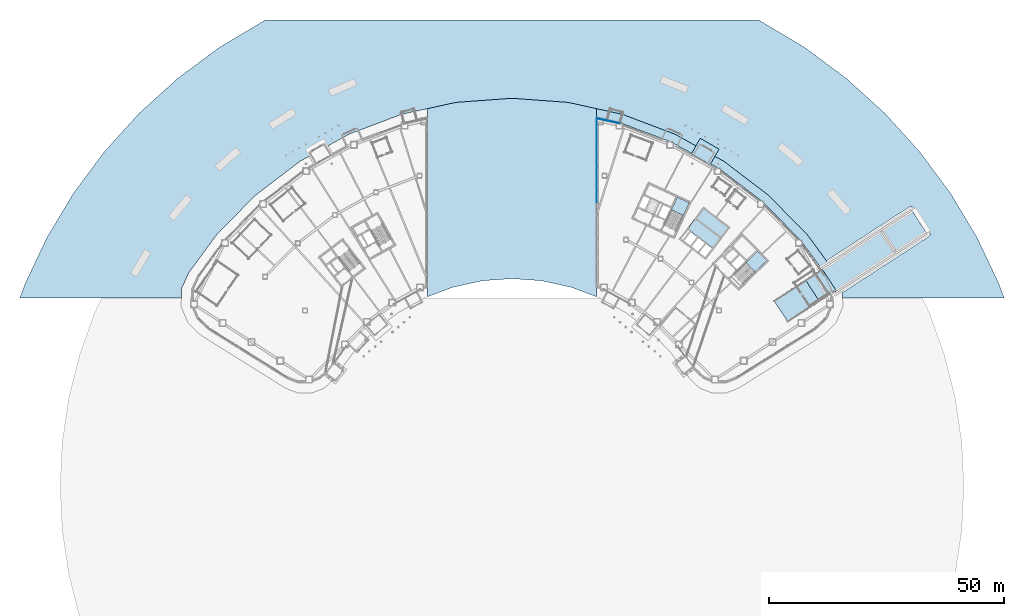
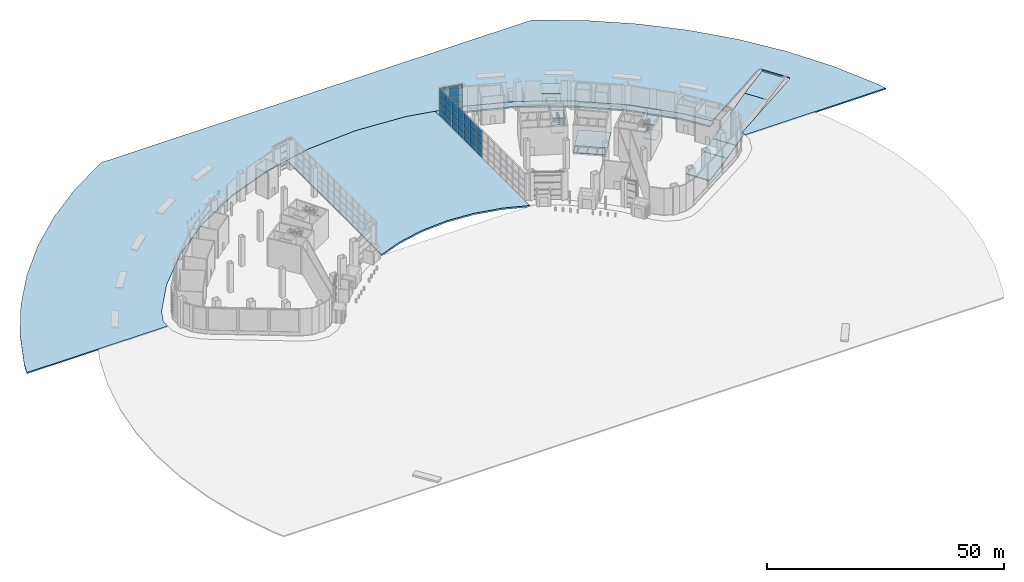
# One storey, part 29 of 45: 33 plates, 13 slabs, 7 elements without a shape of their own.
"""IFC4 building model written with IfcOpenShell, lengths in metres."""

import ifcopenshell
import ifcopenshell.guid

model = None  # the IFC model being written
_history = None  # IfcOwnerHistory: only IFC2X3 demands one
_inside = {}  # id of a spatial element -> (the spatial element, [elements in it])
_under = {}  # id of a project, library or spatial element -> (it, [spatial elements below it])
_declared = {}  # id of a project -> (the project, [libraries it declares])
_typed = {}  # id of a type object -> (the type object, [elements of that type])
_made_of = {}  # id of a material, layer set ... -> (it, [elements and type objects made of it])


def new_model(schema):
    """Start an empty IFC model of exactly this schema.

    Asked for "IFC4X3", IfcOpenShell would pick the latest addendum, in which some entities
    have other attributes; the version numbers below select the first issue.
    IFC2X3 requires an IfcOwnerHistory on every rooted entity: one is made here for all.
    """
    global model, _history
    if schema == "IFC4X3":
        model = ifcopenshell.file(schema_version=(4, 3, 0, 0))
    else:
        model = ifcopenshell.file(schema=schema)
    _inside.clear()
    _under.clear()
    _declared.clear()
    _typed.clear()
    _made_of.clear()
    _history = None
    if model.schema == "IFC2X3":
        org = make("IfcOrganization", Name="unknown")
        user = make(
            "IfcPersonAndOrganization",
            ThePerson=make("IfcPerson", FamilyName="unknown"),
            TheOrganization=org,
        )
        app = make(
            "IfcApplication",
            ApplicationDeveloper=org,
            Version="unknown",
            ApplicationFullName="unknown",
            ApplicationIdentifier="unknown",
        )
        _history = make(
            "IfcOwnerHistory",
            OwningUser=user,
            OwningApplication=app,
            ChangeAction="ADDED",
            CreationDate=0,
        )
    return model


def make(cls, **values):
    """One entity of the class cls with the attributes given. An attribute that is None is left unset."""
    return model.create_entity(
        cls, **{name: value for name, value in values.items() if value is not None}
    )


def rooted(cls, **values):
    """An entity with a GlobalId (a new one), such as an element, a storey or a relation."""
    return make(cls, GlobalId=ifcopenshell.guid.new(), OwnerHistory=_history, **values)


def si_unit(unit_type, name, prefix=None):
    """IfcSIUnit, for example si_unit("LENGTHUNIT", "METRE", prefix="MILLI")."""
    return make("IfcSIUnit", UnitType=unit_type, Prefix=prefix, Name=name)


def assignment(units):
    """IfcUnitAssignment: the units of a project."""
    return None if units is None else make("IfcUnitAssignment", Units=units)


def point(xyz):
    """IfcCartesianPoint."""
    return None if xyz is None else make("IfcCartesianPoint", Coordinates=xyz)


def direction(xyz):
    """IfcDirection."""
    return None if xyz is None else make("IfcDirection", DirectionRatios=xyz)


def frame(location, z_axis=None, x_axis=None):
    """IfcAxis2Placement3D, a coordinate frame: its origin and axes. An axis left out is left unset."""
    return make(
        "IfcAxis2Placement3D",
        Location=point(location),
        Axis=direction(z_axis),
        RefDirection=direction(x_axis),
    )


def frame_2d(location, x_axis=None):
    """IfcAxis2Placement2D, a coordinate frame in the plane: its origin and x axis."""
    return make(
        "IfcAxis2Placement2D", Location=point(location), RefDirection=direction(x_axis)
    )


def origin():
    """The frame at (0, 0, 0) with its axes left unset."""
    return frame((0.0, 0.0, 0.0))


def origin_2d():
    """The frame at (0, 0) in the plane with its x axis left unset."""
    return frame_2d((0.0, 0.0))


def place(relative_to, where):
    """IfcLocalPlacement: puts the frame where relative to a parent placement (None: the world)."""
    return make(
        "IfcLocalPlacement", PlacementRelTo=relative_to, RelativePlacement=where
    )


def context(
    kind, dimensions, precision=None, world=None, true_north=None, identifier=None
):
    """IfcGeometricRepresentationContext, for example the 3D "Model" context."""
    return make(
        "IfcGeometricRepresentationContext",
        ContextIdentifier=identifier,
        ContextType=kind,
        CoordinateSpaceDimension=dimensions,
        Precision=precision,
        WorldCoordinateSystem=world,
        TrueNorth=true_north,
    )


def subcontext(parent, identifier, kind, view, scale=None):
    """IfcGeometricRepresentationSubContext, for example "Body" below "Model"."""
    return make(
        "IfcGeometricRepresentationSubContext",
        ContextIdentifier=identifier,
        ContextType=kind,
        ParentContext=parent,
        TargetScale=scale,
        TargetView=view,
    )


def project(units=None, contexts=None):
    """IfcProject with its units and contexts."""
    return rooted(
        "IfcProject",
        Name="project",
        RepresentationContexts=contexts,
        UnitsInContext=assignment(units),
    )


def spatial(cls, under=None, at=None, **own):
    """A site, building, storey or space (cls), placed at a placement, below another one or the project."""
    s = rooted(cls, ObjectPlacement=at, **own)
    if under is not None:
        _under.setdefault(under.id(), (under, []))[1].append(s)
    return s


def polyline(points):
    """IfcPolyline through the points."""
    return make("IfcPolyline", Points=[point(p) for p in points])


def profile(cls, at=None, kind="AREA", **sizes):
    """A parametric profile (cls). Its sizes go by their IFC names, for example OverallWidth=200.0."""
    return make(cls, ProfileType=kind, Position=at, **sizes)


def rectangle(**sizes):
    """IfcRectangleProfileDef."""
    return profile("IfcRectangleProfileDef", **sizes)


def outline(outer, holes=None, kind="AREA"):
    """IfcArbitraryClosedProfileDef: a profile drawn as a closed curve; with holes, ...WithVoids."""
    if holes is None:
        return make("IfcArbitraryClosedProfileDef", ProfileType=kind, OuterCurve=outer)
    return make(
        "IfcArbitraryProfileDefWithVoids",
        ProfileType=kind,
        OuterCurve=outer,
        InnerCurves=holes,
    )


def extrude(swept, where, along, depth):
    """IfcExtrudedAreaSolid: the profile swept, set in the frame where, extruded along a direction by depth."""
    return make(
        "IfcExtrudedAreaSolid",
        SweptArea=swept,
        Position=where,
        ExtrudedDirection=direction(along),
        Depth=depth,
    )


def shape(context_of_items, identifier, shape_type, items):
    """IfcShapeRepresentation: the items that make up one representation, for example the "Body"."""
    return make(
        "IfcShapeRepresentation",
        ContextOfItems=context_of_items,
        RepresentationIdentifier=identifier,
        RepresentationType=shape_type,
        Items=items,
    )


def material(Name=None, Category=None):
    """IfcMaterial."""
    return make("IfcMaterial", Name=Name, Category=Category)


def layer(
    of_material, thickness, ventilated=None, Name=None, Category=None, Priority=None
):
    """IfcMaterialLayer: one layer of a wall or slab, of a material (None: an air gap)."""
    return make(
        "IfcMaterialLayer",
        Material=of_material,
        LayerThickness=thickness,
        IsVentilated=ventilated,
        Name=Name,
        Category=Category,
        Priority=Priority,
    )


def layer_set(layers, Name=None):
    """IfcMaterialLayerSet."""
    return make("IfcMaterialLayerSet", MaterialLayers=layers, LayerSetName=Name)


def made_of(thing, what):
    """Note that an element or type object is made of a material, layer set ...; save() writes the relation."""
    if what is not None:
        _made_of.setdefault(what.id(), (what, []))[1].append(thing)
    return thing


def type_object(cls, material=None, **own):
    """A type object (cls), such as IfcWallType, which elements share."""
    return made_of(rooted(cls, **own), material)


def element(
    cls,
    number,
    at=None,
    inside=None,
    cuts=None,
    type_object=None,
    material=None,
    context=None,
    identifier="Body",
    shape_type=None,
    held_by="IfcProductDefinitionShape",
    body=None,
    shapes=None,
    **own,
):
    """One element of the class cls, such as IfcWall. Its Tag is "e" and its number.

    at: its placement. inside: the storey or other place that contains it. cuts: it is an
    opening in that element (IfcRelVoidsElement). A single representation is given by context,
    identifier, shape_type and body (its items); several are given by shapes. held_by: the class
    of the entity that holds the representations. save() writes the other relations.
    """
    e = rooted(cls, Tag="e%d" % number, ObjectPlacement=at, **own)
    if body is not None:
        shapes = [shape(context, identifier, shape_type, body)]
    if shapes is not None:
        e.Representation = make(held_by, Representations=shapes)
    if inside is not None:
        _inside.setdefault(inside.id(), (inside, []))[1].append(e)
    if cuts is not None:
        rooted(
            "IfcRelVoidsElement", RelatingBuildingElement=cuts, RelatedOpeningElement=e
        )
    if type_object is not None:
        _typed.setdefault(type_object.id(), (type_object, []))[1].append(e)
    return made_of(e, material)


def aggregate(whole, parts):
    """IfcRelAggregates: a whole, such as a stair, and the parts it consists of."""
    return rooted("IfcRelAggregates", RelatingObject=whole, RelatedObjects=parts)


def save(model, path):
    """Write the relations noted so far, then the file.

    IfcRelAggregates (storeys below a building ...), IfcRelContainedInSpatialStructure (elements
    in a storey), IfcRelDefinesByType, IfcRelAssociatesMaterial and IfcRelDeclares: one each for
    every whole, place, type object, material and project.
    """
    for whole, parts in _under.values():
        aggregate(whole, parts)
    for where, things in _inside.values():
        rooted(
            "IfcRelContainedInSpatialStructure",
            RelatedElements=things,
            RelatingStructure=where,
        )
    for kind, things in _typed.values():
        rooted("IfcRelDefinesByType", RelatedObjects=things, RelatingType=kind)
    for what, things in _made_of.values():
        rooted("IfcRelAssociatesMaterial", RelatedObjects=things, RelatingMaterial=what)
    for by, libraries in _declared.values():
        rooted("IfcRelDeclares", RelatingContext=by, RelatedDefinitions=libraries)
    model.write(path)


model = new_model("IFC4")

# Units and contexts
model_context = context("Model", 3, precision=1e-05, world=origin(), true_north=direction((0.0, 1.0)))
body_context = subcontext(model_context, "Body", "Model", "MODEL_VIEW")
ifc_project = project(units=[si_unit("LENGTHUNIT", "METRE"), si_unit("AREAUNIT", "SQUARE_METRE"), si_unit("VOLUMEUNIT", "CUBIC_METRE"), si_unit("PLANEANGLEUNIT", "RADIAN"), si_unit("MASSUNIT", "GRAM", prefix="KILO")], contexts=[model_context])

# Site, building, storey
site_placement = place(None, origin())
site = spatial("IfcSite", under=ifc_project, at=site_placement, CompositionType="ELEMENT")
building_placement = place(site_placement, origin())
building = spatial("IfcBuilding", under=site, at=building_placement, Name="Tuul Gate Civic Tower", CompositionType="ELEMENT")
storey_placement = place(building_placement, origin())
storey = spatial("IfcBuildingStorey", under=building, at=storey_placement, Name="Level 00", CompositionType="ELEMENT", Elevation=0.0)

# Curtain wall, plates
ifc_material_1 = material(Name="Aluminium", Category="aluminium")
ifc_layer_1 = layer(ifc_material_1, 0.199951171875)
ifc_layer_set_1 = layer_set([ifc_layer_1], Name="Aluminium")
curtain_wall_type_1 = type_object("IfcCurtainWallType", Name="Curtain wall CW1", PredefinedType="NOTDEFINED", material=ifc_layer_set_1)
curtain_wall_1_placement = place(storey_placement, origin())
curtain_wall_1 = element("IfcCurtainWall", 1, at=curtain_wall_1_placement, inside=storey, type_object=curtain_wall_type_1, Name="Curtain wall CW1", PredefinedType="NOTDEFINED")
ifc_material_2 = material(Name="Low-iron laminated glass", Category="glass")
ifc_layer_2 = layer(ifc_material_2, 0.035888671875)
ifc_layer_set_2 = layer_set([ifc_layer_2], Name="Low-iron laminated glass")
plate_type_1 = type_object("IfcPlateType", Name="CW1 panel", PredefinedType="CURTAIN_PANEL", material=ifc_layer_set_2)
plate_1_placement = place(storey_placement, frame((20.46044921875, 17.5693359375, 0.06982421875), z_axis=(0.0, 0.0, 1.0), x_axis=(-0.976568507005, 0.215206763662, 0.0)))
plate_1 = element("IfcPlate", 2, at=plate_1_placement, type_object=plate_type_1, Name="Panel", PredefinedType="CURTAIN_PANEL", context=body_context, shape_type="SweptSolid", body=[
    extrude(rectangle(XDim=4.899169921875, YDim=0.035888671875, at=origin_2d()), origin(), (0.0, 0.0, 1.0), 1.094970703125),
])
plate_2_placement = place(storey_placement, frame((20.46044921875, 17.5693359375, 1.23486328125), z_axis=(0.0, 0.0, 1.0), x_axis=(-0.976568507005, 0.215206763662, 0.0)))
plate_2 = element("IfcPlate", 3, at=plate_2_placement, type_object=plate_type_1, Name="Panel", PredefinedType="CURTAIN_PANEL", context=body_context, shape_type="SweptSolid", body=[
    extrude(rectangle(XDim=4.899169921875, YDim=0.035888671875, at=origin_2d()), origin(), (0.0, 0.0, 1.0), 1.429931640625),
])
plate_3_placement = place(storey_placement, frame((20.46044921875, 17.5693359375, 2.735107421875), z_axis=(0.0, 0.0, 1.0), x_axis=(-0.976568507005, 0.215206763662, 0.0)))
plate_3 = element("IfcPlate", 4, at=plate_3_placement, type_object=plate_type_1, Name="Panel", PredefinedType="CURTAIN_PANEL", context=body_context, shape_type="SweptSolid", body=[
    extrude(rectangle(XDim=4.899169921875, YDim=0.035888671875, at=origin_2d()), origin(), (0.0, 0.0, 1.0), 1.72998046875),
])
plate_4_placement = place(storey_placement, frame((20.46044921875, 17.5693359375, 4.534912109375), z_axis=(0.0, 0.0, 1.0), x_axis=(-0.976568507005, 0.215206763662, 0.0)))
plate_4 = element("IfcPlate", 5, at=plate_4_placement, type_object=plate_type_1, Name="Panel", PredefinedType="CURTAIN_PANEL", context=body_context, shape_type="SweptSolid", body=[
    extrude(rectangle(XDim=4.899169921875, YDim=0.035888671875, at=origin_2d()), origin(), (0.0, 0.0, 1.0), 1.72998046875),
])
plate_5_placement = place(storey_placement, frame((20.46044921875, 17.5693359375, 6.3349609375), z_axis=(0.0, 0.0, 1.0), x_axis=(-0.976568507005, 0.215206763662, 0.0)))
plate_5 = element("IfcPlate", 6, at=plate_5_placement, type_object=plate_type_1, Name="Panel", PredefinedType="CURTAIN_PANEL", context=body_context, shape_type="SweptSolid", body=[
    extrude(rectangle(XDim=4.899169921875, YDim=0.035888671875, at=origin_2d()), origin(), (0.0, 0.0, 1.0), 0.7451171875),
])
aggregate(curtain_wall_1, [plate_1, plate_2, plate_3, plate_4, plate_5])

ifc_material_3 = material(Name="Stainless steel", Category="steel")
ifc_layer_3 = layer(ifc_material_3, 0.199951171875)
ifc_layer_set_3 = layer_set([ifc_layer_3], Name="Stainless steel")
curtain_wall_type_2 = type_object("IfcCurtainWallType", Name="Curtain wall CW2", PredefinedType="NOTDEFINED", material=ifc_layer_set_3)
curtain_wall_2_placement = place(storey_placement, origin())
curtain_wall_2 = element("IfcCurtainWall", 7, at=curtain_wall_2_placement, inside=storey, type_object=curtain_wall_type_2, Name="Curtain wall CW2", PredefinedType="NOTDEFINED")
ifc_material_4 = material(Name="Laminated glass", Category="glass")
ifc_layer_4 = layer(ifc_material_4, 0.0439453125)
ifc_layer_set_4 = layer_set([ifc_layer_4], Name="Laminated glass")
plate_type_2 = type_object("IfcPlateType", Name="CW2 panel", PredefinedType="CURTAIN_PANEL", material=ifc_layer_set_4)
plate_6_placement = place(storey_placement, frame((18.0, 1.48388671875, 0.080078125), z_axis=(0.0, 0.0, 1.0), x_axis=(0.0, 1.0, 0.0)))
plate_6 = element("IfcPlate", 8, at=plate_6_placement, type_object=plate_type_2, Name="Panel", PredefinedType="CURTAIN_PANEL", context=body_context, shape_type="SweptSolid", body=[
    extrude(rectangle(XDim=2.458740234375, YDim=0.0439453125, at=origin_2d()), origin(), (0.0, 0.0, 1.0), 1.3798828125),
])
plate_7_placement = place(storey_placement, frame((18.0, 1.48388671875, 1.5400390625), z_axis=(0.0, 0.0, 1.0), x_axis=(0.0, 1.0, 0.0)))
plate_7 = element("IfcPlate", 9, at=plate_7_placement, type_object=plate_type_2, Name="Panel", PredefinedType="CURTAIN_PANEL", context=body_context, shape_type="SweptSolid", body=[
    extrude(rectangle(XDim=2.458740234375, YDim=0.0439453125, at=origin_2d()), origin(), (0.0, 0.0, 1.0), 1.719970703125),
])
plate_8_placement = place(storey_placement, frame((18.0, 1.48388671875, 3.33984375), z_axis=(0.0, 0.0, 1.0), x_axis=(0.0, 1.0, 0.0)))
plate_8 = element("IfcPlate", 10, at=plate_8_placement, type_object=plate_type_2, Name="Panel", PredefinedType="CURTAIN_PANEL", context=body_context, shape_type="SweptSolid", body=[
    extrude(rectangle(XDim=2.458740234375, YDim=0.0439453125, at=origin_2d()), origin(), (0.0, 0.0, 1.0), 1.719970703125),
])
plate_9_placement = place(storey_placement, frame((18.0, 1.48388671875, 5.14013671875), z_axis=(0.0, 0.0, 1.0), x_axis=(0.0, 1.0, 0.0)))
plate_9 = element("IfcPlate", 11, at=plate_9_placement, type_object=plate_type_2, Name="Panel", PredefinedType="CURTAIN_PANEL", context=body_context, shape_type="SweptSolid", body=[
    extrude(rectangle(XDim=2.458740234375, YDim=0.0439453125, at=origin_2d()), origin(), (0.0, 0.0, 1.0), 1.929931640625),
])
aggregate(curtain_wall_2, [plate_6, plate_7, plate_8, plate_9])

curtain_wall_3_placement = place(storey_placement, origin())
curtain_wall_3 = element("IfcCurtainWall", 12, at=curtain_wall_3_placement, inside=storey, type_object=curtain_wall_type_2, Name="Curtain wall CW2", PredefinedType="NOTDEFINED")
plate_10_placement = place(storey_placement, frame((18.0, 4.1025390625, 0.080078125), z_axis=(0.0, 0.0, 1.0), x_axis=(0.0, 1.0, 0.0)))
plate_10 = element("IfcPlate", 13, at=plate_10_placement, type_object=plate_type_2, Name="Panel", PredefinedType="CURTAIN_PANEL", context=body_context, shape_type="SweptSolid", body=[
    extrude(rectangle(XDim=2.458740234375, YDim=0.0439453125, at=origin_2d()), origin(), (0.0, 0.0, 1.0), 1.3798828125),
])
plate_11_placement = place(storey_placement, frame((18.0, 4.1025390625, 1.5400390625), z_axis=(0.0, 0.0, 1.0), x_axis=(0.0, 1.0, 0.0)))
plate_11 = element("IfcPlate", 14, at=plate_11_placement, type_object=plate_type_2, Name="Panel", PredefinedType="CURTAIN_PANEL", context=body_context, shape_type="SweptSolid", body=[
    extrude(rectangle(XDim=2.458740234375, YDim=0.0439453125, at=origin_2d()), origin(), (0.0, 0.0, 1.0), 1.719970703125),
])
plate_12_placement = place(storey_placement, frame((18.0, 4.1025390625, 3.33984375), z_axis=(0.0, 0.0, 1.0), x_axis=(0.0, 1.0, 0.0)))
plate_12 = element("IfcPlate", 15, at=plate_12_placement, type_object=plate_type_2, Name="Panel", PredefinedType="CURTAIN_PANEL", context=body_context, shape_type="SweptSolid", body=[
    extrude(rectangle(XDim=2.458740234375, YDim=0.0439453125, at=origin_2d()), origin(), (0.0, 0.0, 1.0), 1.719970703125),
])
plate_13_placement = place(storey_placement, frame((18.0, 4.1025390625, 5.14013671875), z_axis=(0.0, 0.0, 1.0), x_axis=(0.0, 1.0, 0.0)))
plate_13 = element("IfcPlate", 16, at=plate_13_placement, type_object=plate_type_2, Name="Panel", PredefinedType="CURTAIN_PANEL", context=body_context, shape_type="SweptSolid", body=[
    extrude(rectangle(XDim=2.458740234375, YDim=0.0439453125, at=origin_2d()), origin(), (0.0, 0.0, 1.0), 1.929931640625),
])
plate_14_placement = place(storey_placement, frame((18.0, 6.64111328125, 0.080078125), z_axis=(0.0, 0.0, 1.0), x_axis=(0.0, 1.0, 0.0)))
plate_14 = element("IfcPlate", 17, at=plate_14_placement, type_object=plate_type_2, Name="Panel", PredefinedType="CURTAIN_PANEL", context=body_context, shape_type="SweptSolid", body=[
    extrude(rectangle(XDim=2.458740234375, YDim=0.0439453125, at=origin_2d()), origin(), (0.0, 0.0, 1.0), 1.3798828125),
])
plate_15_placement = place(storey_placement, frame((18.0, 6.64111328125, 1.5400390625), z_axis=(0.0, 0.0, 1.0), x_axis=(0.0, 1.0, 0.0)))
plate_15 = element("IfcPlate", 18, at=plate_15_placement, type_object=plate_type_2, Name="Panel", PredefinedType="CURTAIN_PANEL", context=body_context, shape_type="SweptSolid", body=[
    extrude(rectangle(XDim=2.458740234375, YDim=0.0439453125, at=origin_2d()), origin(), (0.0, 0.0, 1.0), 1.719970703125),
])
plate_16_placement = place(storey_placement, frame((18.0, 6.64111328125, 3.33984375), z_axis=(0.0, 0.0, 1.0), x_axis=(0.0, 1.0, 0.0)))
plate_16 = element("IfcPlate", 19, at=plate_16_placement, type_object=plate_type_2, Name="Panel", PredefinedType="CURTAIN_PANEL", context=body_context, shape_type="SweptSolid", body=[
    extrude(rectangle(XDim=2.458740234375, YDim=0.0439453125, at=origin_2d()), origin(), (0.0, 0.0, 1.0), 1.719970703125),
])
plate_17_placement = place(storey_placement, frame((18.0, 6.64111328125, 5.14013671875), z_axis=(0.0, 0.0, 1.0), x_axis=(0.0, 1.0, 0.0)))
plate_17 = element("IfcPlate", 20, at=plate_17_placement, type_object=plate_type_2, Name="Panel", PredefinedType="CURTAIN_PANEL", context=body_context, shape_type="SweptSolid", body=[
    extrude(rectangle(XDim=2.458740234375, YDim=0.0439453125, at=origin_2d()), origin(), (0.0, 0.0, 1.0), 1.929931640625),
])
aggregate(curtain_wall_3, [plate_10, plate_11, plate_12, plate_13, plate_14, plate_15, plate_16, plate_17])

curtain_wall_4_placement = place(storey_placement, origin())
curtain_wall_4 = element("IfcCurtainWall", 21, at=curtain_wall_4_placement, inside=storey, type_object=curtain_wall_type_2, Name="Curtain wall CW2", PredefinedType="NOTDEFINED")
plate_18_placement = place(storey_placement, frame((18.0, 9.259765625, 0.080078125), z_axis=(0.0, 0.0, 1.0), x_axis=(0.0, 1.0, 0.0)))
plate_18 = element("IfcPlate", 22, at=plate_18_placement, type_object=plate_type_2, Name="Panel", PredefinedType="CURTAIN_PANEL", context=body_context, shape_type="SweptSolid", body=[
    extrude(rectangle(XDim=2.458740234375, YDim=0.0439453125, at=origin_2d()), origin(), (0.0, 0.0, 1.0), 1.3798828125),
])
plate_19_placement = place(storey_placement, frame((18.0, 9.259765625, 1.5400390625), z_axis=(0.0, 0.0, 1.0), x_axis=(0.0, 1.0, 0.0)))
plate_19 = element("IfcPlate", 23, at=plate_19_placement, type_object=plate_type_2, Name="Panel", PredefinedType="CURTAIN_PANEL", context=body_context, shape_type="SweptSolid", body=[
    extrude(rectangle(XDim=2.458740234375, YDim=0.0439453125, at=origin_2d()), origin(), (0.0, 0.0, 1.0), 1.719970703125),
])
plate_20_placement = place(storey_placement, frame((18.0, 9.259765625, 3.33984375), z_axis=(0.0, 0.0, 1.0), x_axis=(0.0, 1.0, 0.0)))
plate_20 = element("IfcPlate", 24, at=plate_20_placement, type_object=plate_type_2, Name="Panel", PredefinedType="CURTAIN_PANEL", context=body_context, shape_type="SweptSolid", body=[
    extrude(rectangle(XDim=2.458740234375, YDim=0.0439453125, at=origin_2d()), origin(), (0.0, 0.0, 1.0), 1.719970703125),
])
plate_21_placement = place(storey_placement, frame((18.0, 9.259765625, 5.14013671875), z_axis=(0.0, 0.0, 1.0), x_axis=(0.0, 1.0, 0.0)))
plate_21 = element("IfcPlate", 25, at=plate_21_placement, type_object=plate_type_2, Name="Panel", PredefinedType="CURTAIN_PANEL", context=body_context, shape_type="SweptSolid", body=[
    extrude(rectangle(XDim=2.458740234375, YDim=0.0439453125, at=origin_2d()), origin(), (0.0, 0.0, 1.0), 1.929931640625),
])
plate_22_placement = place(storey_placement, frame((18.0, 11.79833984375, 0.080078125), z_axis=(0.0, 0.0, 1.0), x_axis=(0.0, 1.0, 0.0)))
plate_22 = element("IfcPlate", 26, at=plate_22_placement, type_object=plate_type_2, Name="Panel", PredefinedType="CURTAIN_PANEL", context=body_context, shape_type="SweptSolid", body=[
    extrude(rectangle(XDim=2.458740234375, YDim=0.0439453125, at=origin_2d()), origin(), (0.0, 0.0, 1.0), 1.3798828125),
])
plate_23_placement = place(storey_placement, frame((18.0, 11.79833984375, 1.5400390625), z_axis=(0.0, 0.0, 1.0), x_axis=(0.0, 1.0, 0.0)))
plate_23 = element("IfcPlate", 27, at=plate_23_placement, type_object=plate_type_2, Name="Panel", PredefinedType="CURTAIN_PANEL", context=body_context, shape_type="SweptSolid", body=[
    extrude(rectangle(XDim=2.458740234375, YDim=0.0439453125, at=origin_2d()), origin(), (0.0, 0.0, 1.0), 1.719970703125),
])
plate_24_placement = place(storey_placement, frame((18.0, 11.79833984375, 3.33984375), z_axis=(0.0, 0.0, 1.0), x_axis=(0.0, 1.0, 0.0)))
plate_24 = element("IfcPlate", 28, at=plate_24_placement, type_object=plate_type_2, Name="Panel", PredefinedType="CURTAIN_PANEL", context=body_context, shape_type="SweptSolid", body=[
    extrude(rectangle(XDim=2.458740234375, YDim=0.0439453125, at=origin_2d()), origin(), (0.0, 0.0, 1.0), 1.719970703125),
])
plate_25_placement = place(storey_placement, frame((18.0, 11.79833984375, 5.14013671875), z_axis=(0.0, 0.0, 1.0), x_axis=(0.0, 1.0, 0.0)))
plate_25 = element("IfcPlate", 29, at=plate_25_placement, type_object=plate_type_2, Name="Panel", PredefinedType="CURTAIN_PANEL", context=body_context, shape_type="SweptSolid", body=[
    extrude(rectangle(XDim=2.458740234375, YDim=0.0439453125, at=origin_2d()), origin(), (0.0, 0.0, 1.0), 1.929931640625),
])
aggregate(curtain_wall_4, [plate_18, plate_19, plate_20, plate_21, plate_22, plate_23, plate_24, plate_25])

curtain_wall_5_placement = place(storey_placement, origin())
curtain_wall_5 = element("IfcCurtainWall", 30, at=curtain_wall_5_placement, inside=storey, type_object=curtain_wall_type_2, Name="Curtain wall CW2", PredefinedType="NOTDEFINED")
plate_26_placement = place(storey_placement, frame((18.0, 14.4169921875, 0.080078125), z_axis=(0.0, 0.0, 1.0), x_axis=(0.0, 1.0, 0.0)))
plate_26 = element("IfcPlate", 31, at=plate_26_placement, type_object=plate_type_2, Name="Panel", PredefinedType="CURTAIN_PANEL", context=body_context, shape_type="SweptSolid", body=[
    extrude(rectangle(XDim=2.458740234375, YDim=0.0439453125, at=origin_2d()), origin(), (0.0, 0.0, 1.0), 1.3798828125),
])
plate_27_placement = place(storey_placement, frame((18.0, 14.4169921875, 1.5400390625), z_axis=(0.0, 0.0, 1.0), x_axis=(0.0, 1.0, 0.0)))
plate_27 = element("IfcPlate", 32, at=plate_27_placement, type_object=plate_type_2, Name="Panel", PredefinedType="CURTAIN_PANEL", context=body_context, shape_type="SweptSolid", body=[
    extrude(rectangle(XDim=2.458740234375, YDim=0.0439453125, at=origin_2d()), origin(), (0.0, 0.0, 1.0), 1.719970703125),
])
plate_28_placement = place(storey_placement, frame((18.0, 14.4169921875, 3.33984375), z_axis=(0.0, 0.0, 1.0), x_axis=(0.0, 1.0, 0.0)))
plate_28 = element("IfcPlate", 33, at=plate_28_placement, type_object=plate_type_2, Name="Panel", PredefinedType="CURTAIN_PANEL", context=body_context, shape_type="SweptSolid", body=[
    extrude(rectangle(XDim=2.458740234375, YDim=0.0439453125, at=origin_2d()), origin(), (0.0, 0.0, 1.0), 1.719970703125),
])
plate_29_placement = place(storey_placement, frame((18.0, 14.4169921875, 5.14013671875), z_axis=(0.0, 0.0, 1.0), x_axis=(0.0, 1.0, 0.0)))
plate_29 = element("IfcPlate", 34, at=plate_29_placement, type_object=plate_type_2, Name="Panel", PredefinedType="CURTAIN_PANEL", context=body_context, shape_type="SweptSolid", body=[
    extrude(rectangle(XDim=2.458740234375, YDim=0.0439453125, at=origin_2d()), origin(), (0.0, 0.0, 1.0), 1.929931640625),
])
plate_30_placement = place(storey_placement, frame((18.0, 16.95556640625, 0.080078125), z_axis=(0.0, 0.0, 1.0), x_axis=(0.0, 1.0, 0.0)))
plate_30 = element("IfcPlate", 35, at=plate_30_placement, type_object=plate_type_2, Name="Panel", PredefinedType="CURTAIN_PANEL", context=body_context, shape_type="SweptSolid", body=[
    extrude(rectangle(XDim=2.458740234375, YDim=0.0439453125, at=origin_2d()), origin(), (0.0, 0.0, 1.0), 1.3798828125),
])
plate_31_placement = place(storey_placement, frame((18.0, 16.95556640625, 1.5400390625), z_axis=(0.0, 0.0, 1.0), x_axis=(0.0, 1.0, 0.0)))
plate_31 = element("IfcPlate", 36, at=plate_31_placement, type_object=plate_type_2, Name="Panel", PredefinedType="CURTAIN_PANEL", context=body_context, shape_type="SweptSolid", body=[
    extrude(rectangle(XDim=2.458740234375, YDim=0.0439453125, at=origin_2d()), origin(), (0.0, 0.0, 1.0), 1.719970703125),
])
plate_32_placement = place(storey_placement, frame((18.0, 16.95556640625, 3.33984375), z_axis=(0.0, 0.0, 1.0), x_axis=(0.0, 1.0, 0.0)))
plate_32 = element("IfcPlate", 37, at=plate_32_placement, type_object=plate_type_2, Name="Panel", PredefinedType="CURTAIN_PANEL", context=body_context, shape_type="SweptSolid", body=[
    extrude(rectangle(XDim=2.458740234375, YDim=0.0439453125, at=origin_2d()), origin(), (0.0, 0.0, 1.0), 1.719970703125),
])
plate_33_placement = place(storey_placement, frame((18.0, 16.95556640625, 5.14013671875), z_axis=(0.0, 0.0, 1.0), x_axis=(0.0, 1.0, 0.0)))
plate_33 = element("IfcPlate", 38, at=plate_33_placement, type_object=plate_type_2, Name="Panel", PredefinedType="CURTAIN_PANEL", context=body_context, shape_type="SweptSolid", body=[
    extrude(rectangle(XDim=2.458740234375, YDim=0.0439453125, at=origin_2d()), origin(), (0.0, 0.0, 1.0), 1.929931640625),
])
aggregate(curtain_wall_5, [plate_26, plate_27, plate_28, plate_29, plate_30, plate_31, plate_32, plate_33])

# Slabs
ifc_material_5 = material(Name="Concrete C40/50", Category="concrete")
ifc_layer_5 = layer(ifc_material_5, 0.39990234375)
ifc_layer_set_5 = layer_set([ifc_layer_5], Name="Concrete C40/50")
slab_type_1 = type_object("IfcSlabType", Name="Core floor slab 400 non-bearing", PredefinedType="FLOOR", material=ifc_layer_set_5)
slab_1_placement = place(storey_placement, frame((0.0, 0.0, -0.400146484375)))
element("IfcSlab", 39, at=slab_1_placement, inside=storey, type_object=slab_type_1, Name="FLOOR SLAB", PredefinedType="FLOOR", context=body_context, shape_type="SweptSolid", body=[
    extrude(outline(polyline([(41.10107421875, -11.797119140625), (46.25, -5.033935546875), (40.680908203125, -0.79296875), (35.531982421875, -7.555908203125), (41.10107421875, -11.797119140625)]), holes=[polyline([(41.044189453125, -11.37646484375), (42.497802734375, -9.467041015625), (41.22509765625, -8.49755859375), (39.77099609375, -10.4072265625), (41.044189453125, -11.37646484375)]), polyline([(39.532470703125, -10.225341796875), (40.986328125, -8.31591796875), (39.593994140625, -7.255615234375), (38.14013671875, -9.165283203125), (39.532470703125, -10.225341796875)]), polyline([(37.901611328125, -8.9833984375), (39.35546875, -7.073974609375), (37.963134765625, -6.013671875), (36.50927734375, -7.923095703125), (37.901611328125, -8.9833984375)]), polyline([(36.1796875, -7.860595703125), (37.724609375, -5.831787109375), (37.286865234375, -5.49853515625), (35.7421875, -7.527587890625), (36.1796875, -7.860595703125)])]), origin(), (0.0, 0.0, 1.0), 0.400146484375),
])
ifc_material_6 = material(Name="Concrete C40/50", Category="concrete")
ifc_layer_6 = layer(ifc_material_6, 0.199951171875)
ifc_layer_set_6 = layer_set([ifc_layer_6], Name="Concrete C40/50")
slab_type_2 = type_object("IfcSlabType", Name="Entrance canopy", PredefinedType="ROOF", material=ifc_layer_set_6)
slab_2_placement = place(storey_placement, frame((0.0, 0.0, 3.199951171875)))
element("IfcSlab", 40, at=slab_2_placement, inside=storey, type_object=slab_type_2, Name="Entrance canopy", PredefinedType="ROOF", context=body_context, shape_type="SweptSolid", body=[
    extrude(outline(polyline([(42.07568359375, 8.277099609375), (43.9755859375, 11.568115234375), (39.991943359375, 13.8681640625), (38.092041015625, 10.5771484375), (42.07568359375, 8.277099609375)])), origin(), (0.0, 0.0, 1.0), 0.199951171875),
])

# Stair, slabs
ifc_material_7 = material(Name="Concrete C40/50", Category="concrete")
stair_type = type_object("IfcStairType", Name="Exit stair", PredefinedType="HALF_TURN_STAIR", material=ifc_material_7)
stair_1_placement = place(storey_placement, origin())
stair_1 = element("IfcStair", 41, at=stair_1_placement, inside=storey, type_object=stair_type, Name="Level 00 ST-3", PredefinedType="HALF_TURN_STAIR")
ifc_material_8 = material(Name="Concrete C40/50", Category="concrete")
ifc_layer_7 = layer(ifc_material_8, 0.199951171875)
ifc_layer_set_7 = layer_set([ifc_layer_7], Name="Concrete C40/50")
slab_type_3 = type_object("IfcSlabType", Name="Exit stair landing", PredefinedType="LANDING", material=ifc_layer_set_7)
slab_3_placement = place(storey_placement, frame((0.0, 0.0, 1.675048828125)))
slab_3 = element("IfcSlab", 42, at=slab_3_placement, type_object=slab_type_3, Name="ST-3 landing 1", PredefinedType="LANDING", context=body_context, shape_type="SweptSolid", body=[
    extrude(outline(polyline([(51.6572265625, -14.544921875), (49.696044921875, -12.544189453125), (52.160888671875, -10.1279296875), (54.1220703125, -12.128662109375), (51.6572265625, -14.544921875)])), origin(), (0.0, 0.0, 1.0), 0.199951171875),
])
slab_4_placement = place(storey_placement, frame((0.0, 0.0, 5.425048828125)))
slab_4 = element("IfcSlab", 43, at=slab_4_placement, type_object=slab_type_3, Name="ST-3 landing 3", PredefinedType="LANDING", context=body_context, shape_type="SweptSolid", body=[
    extrude(outline(polyline([(51.6572265625, -14.544921875), (49.696044921875, -12.544189453125), (52.160888671875, -10.1279296875), (54.1220703125, -12.128662109375), (51.6572265625, -14.544921875)])), origin(), (0.0, 0.0, 1.0), 0.199951171875),
])
aggregate(stair_1, [slab_3, slab_4])

stair_2_placement = place(storey_placement, origin())
stair_2 = element("IfcStair", 44, at=stair_2_placement, inside=storey, type_object=stair_type, Name="Level 00 ST-4", PredefinedType="HALF_TURN_STAIR")
slab_5_placement = place(storey_placement, frame((0.0, 0.0, 1.675048828125)))
slab_5 = element("IfcSlab", 45, at=slab_5_placement, type_object=slab_type_3, Name="ST-4 landing 1", PredefinedType="LANDING", context=body_context, shape_type="SweptSolid", body=[
    extrude(outline(polyline([(36.412109375, -2.501953125), (33.872802734375, -1.318115234375), (35.1201171875, 1.35693359375), (37.659423828125, 0.173095703125), (36.412109375, -2.501953125)])), origin(), (0.0, 0.0, 1.0), 0.199951171875),
])
slab_6_placement = place(storey_placement, frame((0.0, 0.0, 5.425048828125)))
slab_6 = element("IfcSlab", 46, at=slab_6_placement, type_object=slab_type_3, Name="ST-4 landing 3", PredefinedType="LANDING", context=body_context, shape_type="SweptSolid", body=[
    extrude(outline(polyline([(36.412109375, -2.501953125), (33.872802734375, -1.318115234375), (35.1201171875, 1.35693359375), (37.659423828125, 0.173095703125), (36.412109375, -2.501953125)])), origin(), (0.0, 0.0, 1.0), 0.199951171875),
])
aggregate(stair_2, [slab_5, slab_6])

# Slabs
ifc_material_9 = material(Name="Concrete C40/50", Category="concrete")
ifc_layer_8 = layer(ifc_material_9, 0.300048828125)
ifc_layer_set_8 = layer_set([ifc_layer_8], Name="Concrete C40/50")
slab_type_4 = type_object("IfcSlabType", Name="Ramp slab", PredefinedType="LANDING", material=ifc_layer_set_8)
slab_7_placement = place(storey_placement, frame((87.985595703125, -6.140380859375, 0.0), z_axis=(-0.069641573679, -0.045227306165, 0.996546306999), x_axis=(-0.835763870085, -0.542773705566, -0.083038894546)))
element("IfcSlab", 47, at=slab_7_placement, inside=storey, type_object=slab_type_4, Name="Vehicle ramp slab R1.1", PredefinedType="LANDING", context=body_context, shape_type="SweptSolid", body=[
    extrude(outline(polyline([(0.0, 0.0), (8.029412630878483, 3.399143217331507e-17), (8.029328718031424, -5.500137370091997), (4.86002646526984e-05, -5.499932619028142), (0.0, 0.0)])), origin(), (0.083038894546, -2.66573e-07, -0.996546306999), 0.300048828125),
])
slab_8_placement = place(storey_placement, frame((81.276123046875, -10.49755859375, -0.66650390625), z_axis=(-0.137875467929, -0.089533125997, 0.98639453298), x_axis=(-0.827258644711, -0.537231150864, -0.16439533233)))
element("IfcSlab", 48, at=slab_8_placement, inside=storey, type_object=slab_type_4, Name="Vehicle ramp slab R1.2", PredefinedType="LANDING", context=body_context, shape_type="SweptSolid", body=[
    extrude(outline(polyline([(0.0, 0.0), (14.965241554602844, -3.025262874413459e-16), (14.965044032029079, -5.500004401765655), (-6.636262482473398e-05, -5.499799648472718), (0.0, 0.0)])), origin(), (0.16439533233, -3.943843e-06, -0.98639453298), 0.300048828125),
])
slab_9_placement = place(storey_placement, frame((68.8974609375, -18.536376953125, -3.12646484375), z_axis=(-0.137896198342, -0.089550237148, 0.986390081818), x_axis=(-0.827243831489, -0.537245788063, -0.164422037671)))
element("IfcSlab", 49, at=slab_9_placement, inside=storey, type_object=slab_type_4, Name="Vehicle ramp slab R1.3", PredefinedType="LANDING", context=body_context, shape_type="SweptSolid", body=[
    extrude(outline(polyline([(0.0, 0.0), (4.300266841348222, -1.0934178909516312e-16), (4.299957429452741, -5.500004396550025), (2.371545304225009e-05, -5.499932619124431), (0.0, 0.0)])), origin(), (0.164422037671, -4.27046e-06, -0.986390081818), 0.300048828125),
])
slab_10_placement = place(storey_placement, frame((65.341552734375, -20.845703125, -3.833251953125), z_axis=(-0.069641601633, -0.045228521253, 0.996546249899), x_axis=(-0.835777710924, -0.54275228799, -0.083039579748)))
element("IfcSlab", 50, at=slab_10_placement, inside=storey, type_object=slab_type_4, Name="Vehicle ramp slab R1.4", PredefinedType="LANDING", context=body_context, shape_type="SweptSolid", body=[
    extrude(outline(polyline([(0.0, 0.0), (8.029280120379301, -1.440803043279565e-16), (8.029468971950097, -5.4999326160033375), (0.0001888515707948457, -5.499932616003337), (0.0, 0.0)])), origin(), (0.083039579748, 2.851336e-06, -0.996546249899), 0.300048828125),
])
ifc_material_10 = material(Name="Granite paving on concrete C25/30", Category="masonry")
ifc_layer_9 = layer(ifc_material_10, 0.300048828125)
ifc_layer_set_9 = layer_set([ifc_layer_9], Name="Granite paving on concrete C25/30")
slab_type_5 = type_object("IfcSlabType", Name="Site paving", PredefinedType="USERDEFINED", material=ifc_layer_set_9)
slab_11_placement = place(storey_placement, frame((0.0, 0.0, -0.300048828125)))
element("IfcSlab", 51, at=slab_11_placement, inside=storey, type_object=slab_type_5, Name="Forecourt paving", ObjectType="PAVING", PredefinedType="USERDEFINED", context=body_context, shape_type="SweptSolid", body=[
    extrude(outline(polyline([(-79.196044921875, 19.196044921875), (-86.5771484375, 11.052001953125), (-93.12451171875, 2.223876953125), (-98.775146484375, -7.20361328125), (-103.474609375, -17.139404296875), (-104.498046875, -20.0), (-70.24072265625, -20.0), (-70.214111328125, -18.138916015625), (-68.6650390625, -14.722900390625), (-62.8349609375, -6.739013671875), (-54.5029296875, 1.760009765625), (-45.033935546875, 8.969970703125), (-34.625, 14.739990234375), (-23.492919921875, 18.948974609375), (-11.8701171875, 21.510986328125), (0.0, 22.37109375), (11.8701171875, 21.510986328125), (23.492919921875, 18.948974609375), (34.625, 14.739990234375), (45.033935546875, 8.969970703125), (54.5029296875, 1.760009765625), (62.8349609375, -6.739013671875), (66.789794921875, -12.15478515625), (84.44482421875, -0.689453125), (84.49560546875, -0.659912109375), (84.54931640625, -0.635498046875), (84.60498046875, -0.616455078125), (84.662109375, -0.602783203125), (84.720458984375, -0.594970703125), (84.779296875, -0.5927734375), (84.838134765625, -0.596435546875), (84.896240234375, -0.60595703125), (84.953125, -0.620849609375), (85.00830078125, -0.6416015625), (85.061279296875, -0.667236328125), (85.111328125, -0.6982421875), (85.158203125, -0.73388671875), (85.201416015625, -0.774169921875), (85.240234375, -0.818115234375), (85.274658203125, -0.865966796875), (88.7060546875, -6.149658203125), (88.735595703125, -6.200439453125), (88.760009765625, -6.254150390625), (88.779296875, -6.309814453125), (88.792724609375, -6.366943359375), (88.800537109375, -6.42529296875), (88.802734375, -6.484130859375), (88.799072265625, -6.54296875), (88.78955078125, -6.60107421875), (88.774658203125, -6.657958984375), (88.754150390625, -6.713134765625), (88.728271484375, -6.76611328125), (88.697265625, -6.816162109375), (88.66162109375, -6.863037109375), (88.621337890625, -6.90625), (88.577392578125, -6.945068359375), (88.529541015625, -6.9794921875), (70.224365234375, -18.866943359375), (70.24072265625, -20.0), (104.498046875, -20.0), (103.474609375, -17.139404296875), (98.775146484375, -7.20361328125), (93.12451171875, 2.223876953125), (86.5771484375, 11.052001953125), (79.196044921875, 19.196044921875), (71.052001953125, 26.5771484375), (62.223876953125, 33.12451171875), (52.79638671875, 38.775146484375), (52.321044921875, 39.0), (-52.321044921875, 39.0), (-52.79638671875, 38.775146484375), (-62.223876953125, 33.12451171875), (-71.052001953125, 26.5771484375), (-79.196044921875, 19.196044921875)])), origin(), (0.0, 0.0, 1.0), 0.300048828125),
])
ifc_material_11 = material(Name="Concrete C40/50", Category="concrete")
ifc_layer_10 = layer(ifc_material_11, 0.39990234375)
ifc_layer_set_10 = layer_set([ifc_layer_10], Name="Concrete C40/50")
slab_type_6 = type_object("IfcSlabType", Name="Street slab", PredefinedType="USERDEFINED", material=ifc_layer_set_10)
slab_12_placement = place(storey_placement, frame((0.0, 0.0, -0.400146484375)))
element("IfcSlab", 52, at=slab_12_placement, inside=storey, type_object=slab_type_6, Name="Tunnel street slab", ObjectType="PAVING", PredefinedType="USERDEFINED", context=body_context, shape_type="SweptSolid", body=[
    extrude(outline(polyline([(18.0, -19.8134765625), (12.569091796875, -17.760009765625), (6.35107421875, -16.389892578125), (0.0, -15.929931640625), (-6.35107421875, -16.389892578125), (-12.569091796875, -17.760009765625), (-18.0, -19.8134765625), (-18.0, 20.159912109375), (-11.8701171875, 21.510986328125), (0.0, 22.37109375), (11.8701171875, 21.510986328125), (18.0, 20.159912109375), (18.0, -19.8134765625)])), origin(), (0.0, 0.0, 1.0), 0.400146484375),
])
slab_13_placement = place(storey_placement, frame((0.0, 0.0, -0.400146484375)))
element("IfcSlab", 53, at=slab_13_placement, inside=storey, type_object=slab_type_6, Name="Plaza deck", ObjectType="PAVING", PredefinedType="USERDEFINED", context=body_context, shape_type="SweptSolid", body=[
    extrude(outline(polyline([(23.492919921875, 18.948974609375), (34.625, 14.739990234375), (45.033935546875, 8.969970703125), (54.5029296875, 1.760009765625), (62.8349609375, -6.739013671875), (67.02587890625, -12.478515625), (65.472412109375, -13.4873046875), (61.419921875, -7.93896484375), (53.27587890625, 0.368896484375), (44.02001953125, 7.4169921875), (33.844970703125, 13.056884765625), (22.964111328125, 17.1708984375), (18.0, 18.26513671875), (18.0, 20.159912109375), (23.492919921875, 18.948974609375)])), origin(), (0.0, 0.0, 1.0), 0.400146484375),
])

save(model, "model.ifc")
